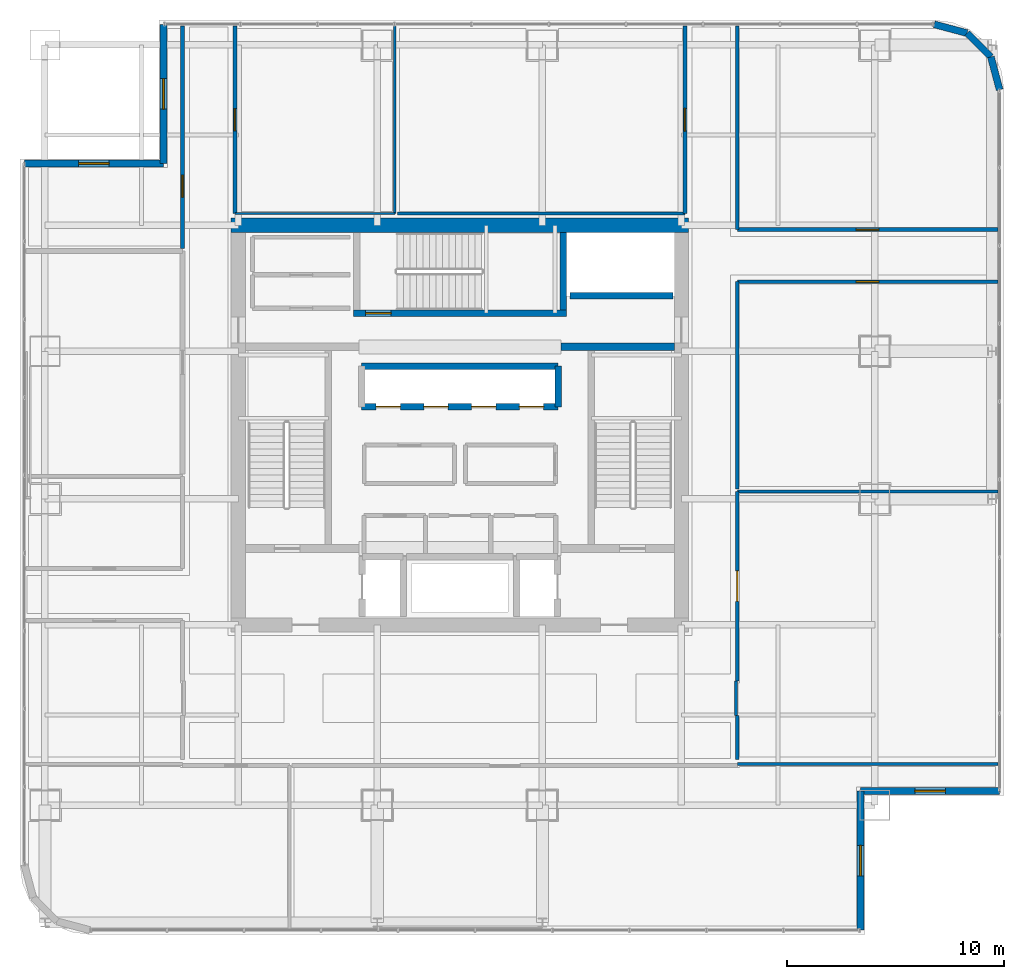
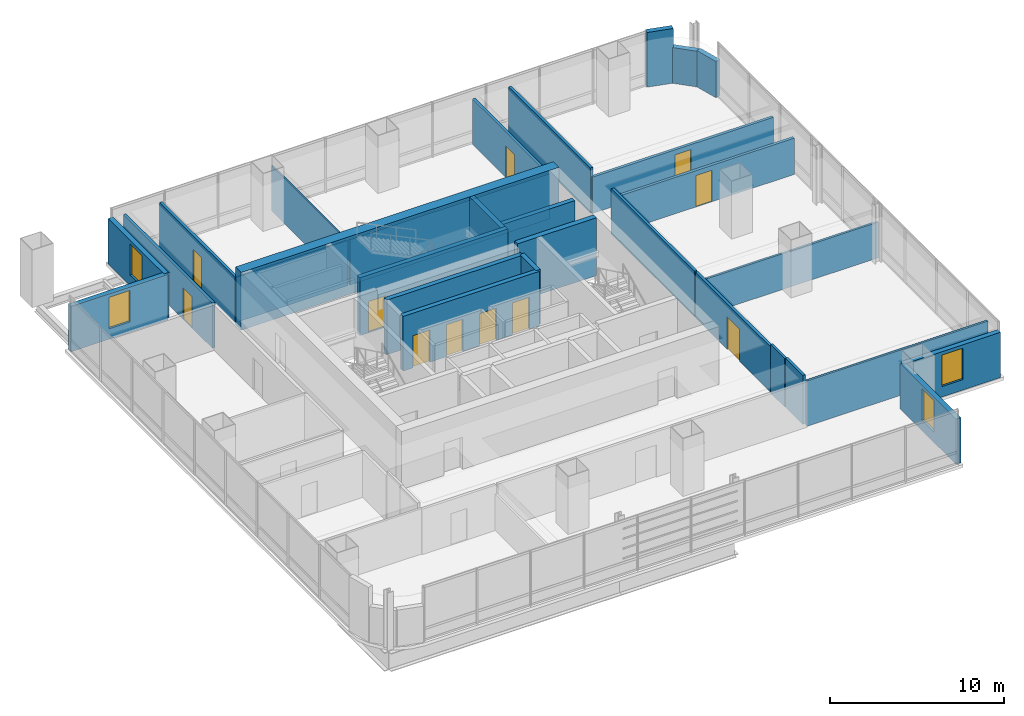
# One storey, part 31 of 37: 30 walls, 11 doors, 4 windows, 15 openings.
"""IFC4 building model written with IfcOpenShell, lengths in metres."""

from ifc_helpers import new_model, si_unit, direction, frame, frame_2d, origin, place, context, subcontext, project, spatial, rectangle, extrude, material, layer, layer_set, type_object, element, fill, save


model = new_model("IFC4")

# Units and contexts
model_context = context("Model", 3, precision=1e-05, world=origin(), true_north=direction((0.0, 1.0)))
body_context = subcontext(model_context, "Body", "Model", "MODEL_VIEW")
ifc_project = project(units=[si_unit("LENGTHUNIT", "METRE"), si_unit("AREAUNIT", "SQUARE_METRE"), si_unit("VOLUMEUNIT", "CUBIC_METRE"), si_unit("PLANEANGLEUNIT", "RADIAN"), si_unit("MASSUNIT", "GRAM", prefix="KILO")], contexts=[model_context])

# Site, building, storey
site_placement = place(None, origin())
site = spatial("IfcSite", under=ifc_project, at=site_placement, CompositionType="ELEMENT")
building_placement = place(site_placement, origin())
building = spatial("IfcBuilding", under=site, at=building_placement, Name="Punatoya Terracotta Tower", CompositionType="ELEMENT")
storey_placement = place(building_placement, frame((0.0, 0.0, 224.85009765625)))
storey = spatial("IfcBuildingStorey", under=building, at=storey_placement, Name="L53", CompositionType="ELEMENT", Elevation=224.85009765625)

# Wall
ifc_material_1 = material(Name="Concrete C60/75", Category="concrete")
ifc_layer_1 = layer(ifc_material_1, 0.64990234375)
ifc_layer_set_1 = layer_set([ifc_layer_1], Name="Concrete C60/75")
wall_type_1 = type_object("IfcWallType", Name="WL-COR-650", PredefinedType="SHEAR", material=ifc_layer_set_1)
wall_1_placement = place(storey_placement, frame((-10.52490234375, 9.199951171875, 0.0), z_axis=(0.0, 0.0, 1.0), x_axis=(1.0, 0.0, 0.0)))
element("IfcWall", 1, at=wall_1_placement, inside=storey, type_object=wall_type_1, Name="L53 Core Shear Wall N", PredefinedType="SHEAR", context=body_context, shape_type="SweptSolid", body=[
    extrude(rectangle(XDim=21.0498046875, YDim=0.64990234375, at=frame_2d((10.52490234375, 0.0))), origin(), (0.0, 0.0, 1.0), 4.0498046875),
])

# Wall, opening, door
ifc_material_2 = material(Name="Gypsum Fireboard + Steel Stud", Category="steel")
ifc_layer_2 = layer(ifc_material_2, 0.179931640625)
ifc_layer_set_2 = layer_set([ifc_layer_2], Name="Gypsum Fireboard + Steel Stud")
wall_type_2 = type_object("IfcWallType", Name="WL-CORR-180", PredefinedType="PARTITIONING", material=ifc_layer_set_2)
wall_2_placement = place(storey_placement, frame((12.77001953125, -11.77001953125, 0.0), z_axis=(0.0, 0.0, 1.0), x_axis=(0.0, 1.0, 0.0)))
wall_2 = element("IfcWall", 2, at=wall_2_placement, inside=storey, type_object=wall_type_2, Name="L53 Open-Plan Press Briefing Room Partition 31", PredefinedType="PARTITIONING", context=body_context, shape_type="SweptSolid", body=[
    extrude(rectangle(XDim=8.716064453125, YDim=0.179931640625, at=frame_2d((4.35791015625, 0.0))), origin(), (0.0, 0.0, 1.0), 3.173828125),
])
opening_1_placement = place(wall_2_placement, frame((3.657958984375, 0.0, 0.0)))
opening_1 = element("IfcOpeningElement", 3, at=opening_1_placement, cuts=wall_2, Name="Opening BD-01", PredefinedType="OPENING", context=body_context, shape_type="SweptSolid", body=[
    extrude(rectangle(XDim=1.39990234375, YDim=2.25, at=frame_2d((0.699951171875, 1.125))), frame((0.0, 0.099853515625, 0.0), z_axis=(0.0, -1.0, 0.0), x_axis=(1.0, 0.0, 0.0)), (0.0, 0.0, 1.0), 0.199951171875),
])
ifc_material_3 = material(Name="Bengal Teak Acoustic Leaf")
door_type_1 = type_object("IfcDoorType", Name="DR-BRD-1400", OperationType="NOTDEFINED", PredefinedType="DOOR", material=ifc_material_3)
door_1_placement = place(opening_1_placement, origin())
door_1 = element("IfcDoor", 4, at=door_1_placement, inside=storey, type_object=door_type_1, Name="L53 Open-Plan Press Briefing Room Door", OperationType="SINGLE_SWING_LEFT", OverallHeight=2.25, OverallWidth=1.39990234375, PredefinedType="DOOR", context=body_context, shape_type="SweptSolid", body=[
    extrude(rectangle(XDim=1.39990234375, YDim=2.25, at=frame_2d((0.699951171875, 1.125))), frame((0.0, 0.02490234375, 0.0), z_axis=(0.0, -1.0, 0.0), x_axis=(1.0, 0.0, 0.0)), (0.0, 0.0, 1.0), 0.050048828125),
])
fill(opening_1, door_1)

# Wall
wall_3_placement = place(storey_placement, frame((12.77001953125, -15.389892578125, 0.0), z_axis=(0.0, 0.0, 1.0), x_axis=(0.0, 1.0, 0.0)))
element("IfcWall", 5, at=wall_3_placement, inside=storey, type_object=wall_type_2, Name="L53 Open-Plan Press Briefing Room Partition 33", PredefinedType="PARTITIONING", context=body_context, shape_type="SweptSolid", body=[
    extrude(rectangle(XDim=2.010009765625, YDim=0.179931640625, at=frame_2d((1.0048828125, 0.0))), origin(), (0.0, 0.0, 1.0), 3.423828125),
])

# Wall, opening, door
wall_4_placement = place(storey_placement, frame((12.77001953125, 6.60009765625, 0.0), z_axis=(0.0, 0.0, 1.0), x_axis=(1.0, 0.0, 0.0)))
wall_4 = element("IfcWall", 6, at=wall_4_placement, inside=storey, type_object=wall_type_2, Name="L53 Open-Plan Acoustic Wellness Room Partition 37", PredefinedType="PARTITIONING", context=body_context, shape_type="SweptSolid", body=[
    extrude(rectangle(XDim=12.0, YDim=0.179931640625, at=frame_2d((6.0, 0.0))), origin(), (0.0, 0.0, 1.0), 2.5439453125),
])
opening_2_placement = place(wall_4_placement, frame((5.47509765625, 0.0, 0.0)))
opening_2 = element("IfcOpeningElement", 7, at=opening_2_placement, cuts=wall_4, Name="Opening OD-01", PredefinedType="OPENING", context=body_context, shape_type="SweptSolid", body=[
    extrude(rectangle(XDim=1.050048828125, YDim=2.199951171875, at=frame_2d((0.52490234375, 1.10009765625))), frame((0.0, 0.099853515625, 0.0), z_axis=(0.0, -1.0, 0.0), x_axis=(1.0, 0.0, 0.0)), (0.0, 0.0, 1.0), 0.199951171875),
])
ifc_material_4 = material(Name="Bengal Teak Solid-Core Leaf")
door_type_2 = type_object("IfcDoorType", Name="DR-OFF-1050", OperationType="NOTDEFINED", PredefinedType="DOOR", material=ifc_material_4)
door_2_placement = place(opening_2_placement, origin())
door_2 = element("IfcDoor", 8, at=door_2_placement, inside=storey, type_object=door_type_2, Name="L53 Open-Plan Acoustic Wellness Room Door", OperationType="SINGLE_SWING_LEFT", OverallHeight=2.199951171875, OverallWidth=1.050048828125, PredefinedType="DOOR", context=body_context, shape_type="SweptSolid", body=[
    extrude(rectangle(XDim=1.050048828125, YDim=2.199951171875, at=frame_2d((0.52490234375, 1.10009765625))), frame((0.0, 0.02490234375, 0.0), z_axis=(0.0, -1.0, 0.0), x_axis=(1.0, 0.0, 0.0)), (0.0, 0.0, 1.0), 0.050048828125),
])
fill(opening_2, door_2)

# Wall
wall_5_placement = place(storey_placement, frame((12.77001953125, -2.93408203125, 0.0), z_axis=(0.0, 0.0, 1.0), x_axis=(0.0, 1.0, 0.0)))
element("IfcWall", 9, at=wall_5_placement, inside=storey, type_object=wall_type_2, Name="L53 Open-Plan Acoustic Wellness Room Partition 38", PredefinedType="PARTITIONING", context=body_context, shape_type="SweptSolid", body=[
    extrude(rectangle(XDim=9.5341796875, YDim=0.179931640625, at=frame_2d((4.76708984375, 0.0))), origin(), (0.0, 0.0, 1.0), 3.173828125),
])

# Wall, opening, door
wall_6_placement = place(storey_placement, frame((-12.77001953125, 18.3701171875, 0.0), z_axis=(0.0, 0.0, 1.0), x_axis=(0.0, -1.0, 0.0)))
wall_6 = element("IfcWall", 10, at=wall_6_placement, inside=storey, type_object=wall_type_2, Name="L53 Editorial Conference Room Partition 41", PredefinedType="PARTITIONING", context=body_context, shape_type="SweptSolid", body=[
    extrude(rectangle(XDim=10.232177734375, YDim=0.179931640625, at=frame_2d((5.1162109375, 0.0))), origin(), (0.0, 0.0, 1.0), 3.173828125),
])
opening_3_placement = place(wall_6_placement, frame((6.85595703125, 0.0, 0.0)))
opening_3 = element("IfcOpeningElement", 11, at=opening_3_placement, cuts=wall_6, Name="Opening MD-01", PredefinedType="OPENING", context=body_context, shape_type="SweptSolid", body=[
    extrude(rectangle(XDim=1.02001953125, YDim=2.199951171875, at=frame_2d((0.510009765625, 1.10009765625))), frame((0.0, 0.099853515625, 0.0), z_axis=(0.0, -1.0, 0.0), x_axis=(1.0, 0.0, 0.0)), (0.0, 0.0, 1.0), 0.199951171875),
])
ifc_material_5 = material(Name="Aluminium + Acoustic Glass Leaf", Category="aluminium")
door_type_3 = type_object("IfcDoorType", Name="DR-MTG-1020", OperationType="NOTDEFINED", PredefinedType="DOOR", material=ifc_material_5)
door_3_placement = place(opening_3_placement, origin())
door_3 = element("IfcDoor", 12, at=door_3_placement, inside=storey, type_object=door_type_3, Name="L53 Editorial Conference Room Door", OperationType="SINGLE_SWING_LEFT", OverallHeight=2.199951171875, OverallWidth=1.02001953125, PredefinedType="DOOR", context=body_context, shape_type="SweptSolid", body=[
    extrude(rectangle(XDim=1.02001953125, YDim=2.199951171875, at=frame_2d((0.510009765625, 1.10009765625))), frame((0.0, 0.02490234375, 0.0), z_axis=(0.0, -1.0, 0.0), x_axis=(1.0, 0.0, 0.0)), (0.0, 0.0, 1.0), 0.050048828125),
])
fill(opening_3, door_3)

wall_7_placement = place(storey_placement, frame((24.77001953125, 9.0, 0.0), z_axis=(0.0, 0.0, 1.0), x_axis=(-1.0, 0.0, 0.0)))
wall_7 = element("IfcWall", 13, at=wall_7_placement, inside=storey, type_object=wall_type_2, Name="L53 Open-Plan Client Briefing Office Partition 42", PredefinedType="PARTITIONING", context=body_context, shape_type="SweptSolid", body=[
    extrude(rectangle(XDim=12.0, YDim=0.179931640625, at=frame_2d((6.0, 0.0))), origin(), (0.0, 0.0, 1.0), 2.5439453125),
])
opening_4_placement = place(wall_7_placement, frame((5.47509765625, 0.0, 0.0)))
opening_4 = element("IfcOpeningElement", 14, at=opening_4_placement, cuts=wall_7, Name="Opening OD-01", PredefinedType="OPENING", context=body_context, shape_type="SweptSolid", body=[
    extrude(rectangle(XDim=1.050048828125, YDim=2.199951171875, at=frame_2d((0.52490234375, 1.10009765625))), frame((0.0, 0.099853515625, 0.0), z_axis=(0.0, -1.0, 0.0), x_axis=(1.0, 0.0, 0.0)), (0.0, 0.0, 1.0), 0.199951171875),
])
door_4_placement = place(opening_4_placement, origin())
door_4 = element("IfcDoor", 15, at=door_4_placement, inside=storey, type_object=door_type_2, Name="L53 Open-Plan Client Briefing Office Door", OperationType="SINGLE_SWING_RIGHT", OverallHeight=2.199951171875, OverallWidth=1.050048828125, PredefinedType="DOOR", context=body_context, shape_type="SweptSolid", body=[
    extrude(rectangle(XDim=1.050048828125, YDim=2.199951171875, at=frame_2d((0.52490234375, 1.10009765625))), frame((0.0, 0.02490234375, 0.0), z_axis=(0.0, -1.0, 0.0), x_axis=(1.0, 0.0, 0.0)), (0.0, 0.0, 1.0), 0.050048828125),
])
fill(opening_4, door_4)

# Wall
wall_8_placement = place(storey_placement, frame((12.77001953125, 9.0, 0.0), z_axis=(0.0, 0.0, 1.0), x_axis=(0.0, 1.0, 0.0)))
element("IfcWall", 16, at=wall_8_placement, inside=storey, type_object=wall_type_2, Name="L53 Open-Plan Client Briefing Office Partition 43", PredefinedType="PARTITIONING", context=body_context, shape_type="SweptSolid", body=[
    extrude(rectangle(XDim=9.3701171875, YDim=0.179931640625, at=frame_2d((4.68505859375, 0.0))), origin(), (0.0, 0.0, 1.0), 3.173828125),
])

# Wall, opening, door
wall_9_placement = place(storey_placement, frame((-10.360107421875, 9.739990234375, 0.0), z_axis=(0.0, 0.0, 1.0), x_axis=(0.0, 1.0, 0.0)))
wall_9 = element("IfcWall", 17, at=wall_9_placement, inside=storey, type_object=wall_type_2, Name="L53 Open-Plan Visualization Review Room Partition 46", PredefinedType="PARTITIONING", context=body_context, shape_type="SweptSolid", body=[
    extrude(rectangle(XDim=8.630126953125, YDim=0.179931640625, at=frame_2d((4.31494140625, 0.0))), origin(), (0.0, 0.0, 1.0), 3.173828125),
])
opening_5_placement = place(wall_9_placement, frame((3.804931640625, 0.0, 0.0)))
opening_5 = element("IfcOpeningElement", 18, at=opening_5_placement, cuts=wall_9, Name="Opening MD-01", PredefinedType="OPENING", context=body_context, shape_type="SweptSolid", body=[
    extrude(rectangle(XDim=1.02001953125, YDim=2.199951171875, at=frame_2d((0.510009765625, 1.10009765625))), frame((0.0, 0.099853515625, 0.0), z_axis=(0.0, -1.0, 0.0), x_axis=(1.0, 0.0, 0.0)), (0.0, 0.0, 1.0), 0.199951171875),
])
door_5_placement = place(opening_5_placement, origin())
door_5 = element("IfcDoor", 19, at=door_5_placement, inside=storey, type_object=door_type_3, Name="L53 Open-Plan Visualization Review Room Door", OperationType="SINGLE_SWING_LEFT", OverallHeight=2.199951171875, OverallWidth=1.02001953125, PredefinedType="DOOR", context=body_context, shape_type="SweptSolid", body=[
    extrude(rectangle(XDim=1.02001953125, YDim=2.199951171875, at=frame_2d((0.510009765625, 1.10009765625))), frame((0.0, 0.02490234375, 0.0), z_axis=(0.0, -1.0, 0.0), x_axis=(1.0, 0.0, 0.0)), (0.0, 0.0, 1.0), 0.050048828125),
])
fill(opening_5, door_5)

wall_10_placement = place(storey_placement, frame((10.360107421875, 18.3701171875, 0.0), z_axis=(0.0, 0.0, 1.0), x_axis=(0.0, -1.0, 0.0)))
wall_10 = element("IfcWall", 20, at=wall_10_placement, inside=storey, type_object=wall_type_2, Name="L53 Open-Plan Client Media Salon Partition 48", PredefinedType="PARTITIONING", context=body_context, shape_type="SweptSolid", body=[
    extrude(rectangle(XDim=8.630126953125, YDim=0.179931640625, at=frame_2d((4.31494140625, 0.0))), origin(), (0.0, 0.0, 1.0), 3.173828125),
])
opening_6_placement = place(wall_10_placement, frame((3.7900390625, 0.0, 0.0)))
opening_6 = element("IfcOpeningElement", 21, at=opening_6_placement, cuts=wall_10, Name="Opening OD-01", PredefinedType="OPENING", context=body_context, shape_type="SweptSolid", body=[
    extrude(rectangle(XDim=1.050048828125, YDim=2.199951171875, at=frame_2d((0.52490234375, 1.10009765625))), frame((0.0, 0.099853515625, 0.0), z_axis=(0.0, -1.0, 0.0), x_axis=(1.0, 0.0, 0.0)), (0.0, 0.0, 1.0), 0.199951171875),
])
door_6_placement = place(opening_6_placement, origin())
door_6 = element("IfcDoor", 22, at=door_6_placement, inside=storey, type_object=door_type_2, Name="L53 Open-Plan Client Media Salon Door", OperationType="SINGLE_SWING_RIGHT", OverallHeight=2.199951171875, OverallWidth=1.050048828125, PredefinedType="DOOR", context=body_context, shape_type="SweptSolid", body=[
    extrude(rectangle(XDim=1.050048828125, YDim=2.199951171875, at=frame_2d((0.52490234375, 1.10009765625))), frame((0.0, 0.02490234375, 0.0), z_axis=(0.0, -1.0, 0.0), x_axis=(1.0, 0.0, 0.0)), (0.0, 0.0, 1.0), 0.050048828125),
])
fill(opening_6, door_6)

# Wall, opening, window
ifc_material_6 = material(Name="Precast concrete C40/50", Category="concrete")
ifc_layer_3 = layer(ifc_material_6, 0.320068359375)
ifc_layer_set_3 = layer_set([ifc_layer_3], Name="Precast concrete C40/50")
wall_type_3 = type_object("IfcWallType", Name="WL-EXT-320", PredefinedType="SOLIDWALL", material=ifc_layer_set_3)
wall_11_placement = place(storey_placement, frame((18.449951171875, -23.25, 0.0), z_axis=(0.0, 0.0, 1.0), x_axis=(0.0, 1.0, 0.0)))
wall_11 = element("IfcWall", 23, at=wall_11_placement, inside=storey, type_object=wall_type_3, Name="L53 Recessed Corner-Slot Terracotta Wall 02", PredefinedType="SOLIDWALL", context=body_context, shape_type="SweptSolid", body=[
    extrude(rectangle(XDim=6.39990234375, YDim=0.320068359375, at=frame_2d((3.199951171875, 0.0))), origin(), (0.0, 0.0, 1.0), 3.173828125),
])
opening_7_placement = place(wall_11_placement, frame((2.5, 0.0, 0.73388671875)))
opening_7 = element("IfcOpeningElement", 24, at=opening_7_placement, cuts=wall_11, Name="Opening WN-04", PredefinedType="OPENING", context=body_context, shape_type="SweptSolid", body=[
    extrude(rectangle(XDim=1.39990234375, YDim=2.199951171875, at=frame_2d((0.699951171875, 1.10009765625))), frame((0.0, 0.169921875, 0.0), z_axis=(0.0, -1.0, 0.0), x_axis=(1.0, 0.0, 0.0)), (0.0, 0.0, 1.0), 0.340087890625),
])
ifc_material_7 = material(Name="Aluminium 6063-T6 + Double Low-E Glass", Category="aluminium")
window_type = type_object("IfcWindowType", Name="WIN-OFF-1400", PartitioningType="SINGLE_PANEL", PredefinedType="WINDOW", material=ifc_material_7)
window_1_placement = place(opening_7_placement, origin())
window_1 = element("IfcWindow", 25, at=window_1_placement, inside=storey, type_object=window_type, Name="L53 Corner-Slot Punched Window 02", OverallHeight=2.199951171875, OverallWidth=1.39990234375, PartitioningType="SINGLE_PANEL", PredefinedType="WINDOW", context=body_context, shape_type="SweptSolid", body=[
    extrude(rectangle(XDim=1.39990234375, YDim=2.199951171875, at=frame_2d((0.699951171875, 1.10009765625))), frame((0.0, 0.030029296875, 0.0), z_axis=(0.0, -1.0, 0.0), x_axis=(1.0, 0.0, 0.0)), (0.0, 0.0, 1.0), 0.06005859375),
])
fill(opening_7, window_1)

wall_12_placement = place(storey_placement, frame((18.449951171875, -16.85009765625, 0.0), z_axis=(0.0, 0.0, 1.0), x_axis=(1.0, 0.0, 0.0)))
wall_12 = element("IfcWall", 26, at=wall_12_placement, inside=storey, type_object=wall_type_3, Name="L53 Recessed Corner-Slot Terracotta Wall 03", PredefinedType="SOLIDWALL", context=body_context, shape_type="SweptSolid", body=[
    extrude(rectangle(XDim=6.400146484375, YDim=0.320068359375, at=frame_2d((3.2001953125, 0.0))), origin(), (0.0, 0.0, 1.0), 3.173828125),
])
opening_8_placement = place(wall_12_placement, frame((2.5, 0.0, 0.73388671875)))
opening_8 = element("IfcOpeningElement", 27, at=opening_8_placement, cuts=wall_12, Name="Opening WN-04", PredefinedType="OPENING", context=body_context, shape_type="SweptSolid", body=[
    extrude(rectangle(XDim=1.39990234375, YDim=2.199951171875, at=frame_2d((0.699951171875, 1.10009765625))), frame((0.0, 0.169921875, 0.0), z_axis=(0.0, -1.0, 0.0), x_axis=(1.0, 0.0, 0.0)), (0.0, 0.0, 1.0), 0.340087890625),
])
window_2_placement = place(opening_8_placement, origin())
window_2 = element("IfcWindow", 28, at=window_2_placement, inside=storey, type_object=window_type, Name="L53 Corner-Slot Punched Window 03", OverallHeight=2.199951171875, OverallWidth=1.39990234375, PartitioningType="SINGLE_PANEL", PredefinedType="WINDOW", context=body_context, shape_type="SweptSolid", body=[
    extrude(rectangle(XDim=1.39990234375, YDim=2.199951171875, at=frame_2d((0.699951171875, 1.10009765625))), frame((0.0, 0.030029296875, 0.0), z_axis=(0.0, -1.0, 0.0), x_axis=(1.0, 0.0, 0.0)), (0.0, 0.0, 1.0), 0.06005859375),
])
fill(opening_8, window_2)

# Walls
wall_13_placement = place(storey_placement, frame((24.85009765625, 15.43701171875, 0.0), z_axis=(0.0, 0.0, 1.0), x_axis=(-0.257847112249, 0.966185730957, 0.0)))
element("IfcWall", 29, at=wall_13_placement, inside=storey, type_object=wall_type_3, Name="L53 Rounded Terracotta Corner Pier 05", PredefinedType="SOLIDWALL", context=body_context, shape_type="SweptSolid", body=[
    extrude(rectangle(XDim=1.565185546875, YDim=0.320068359375, at=frame_2d((0.78271484375, 0.0))), origin(), (0.0, 0.0, 1.0), 2.5439453125),
])
wall_14_placement = place(storey_placement, frame((24.446533203125, 16.94921875, 0.0), z_axis=(0.0, 0.0, 1.0), x_axis=(-0.707106781187, 0.707106781187, 0.0)))
element("IfcWall", 30, at=wall_14_placement, inside=storey, type_object=wall_type_3, Name="L53 Rounded Terracotta Corner Pier 06", PredefinedType="SOLIDWALL", context=body_context, shape_type="SweptSolid", body=[
    extrude(rectangle(XDim=1.552001953125, YDim=0.320068359375, at=frame_2d((0.77587890625, 0.0))), origin(), (0.0, 0.0, 1.0), 2.50390625),
])
wall_15_placement = place(storey_placement, frame((23.34912109375, 18.046630859375, 0.0), z_axis=(0.0, 0.0, 1.0), x_axis=(-0.966224582397, 0.257701486942, 0.0)))
element("IfcWall", 31, at=wall_15_placement, inside=storey, type_object=wall_type_3, Name="L53 Rounded Terracotta Corner Pier 07", PredefinedType="SOLIDWALL", context=body_context, shape_type="SweptSolid", body=[
    extrude(rectangle(XDim=1.565185546875, YDim=0.320068359375, at=frame_2d((0.78271484375, 0.0))), origin(), (0.0, 0.0, 1.0), 3.829833984375),
])

# Wall, opening, window
wall_16_placement = place(storey_placement, frame((-13.64990234375, 18.449951171875, 0.0), z_axis=(0.0, 0.0, 1.0), x_axis=(0.0, -1.0, 0.0)))
wall_16 = element("IfcWall", 32, at=wall_16_placement, inside=storey, type_object=wall_type_3, Name="L53 Recessed Corner-Slot Terracotta Wall 09", PredefinedType="SOLIDWALL", context=body_context, shape_type="SweptSolid", body=[
    extrude(rectangle(XDim=6.39990234375, YDim=0.320068359375, at=frame_2d((3.199951171875, 0.0))), origin(), (0.0, 0.0, 1.0), 3.173828125),
])
opening_9_placement = place(wall_16_placement, frame((2.5, 0.0, 0.73388671875)))
opening_9 = element("IfcOpeningElement", 33, at=opening_9_placement, cuts=wall_16, Name="Opening WN-04", PredefinedType="OPENING", context=body_context, shape_type="SweptSolid", body=[
    extrude(rectangle(XDim=1.39990234375, YDim=2.199951171875, at=frame_2d((0.699951171875, 1.10009765625))), frame((0.0, 0.169921875, 0.0), z_axis=(0.0, -1.0, 0.0), x_axis=(1.0, 0.0, 0.0)), (0.0, 0.0, 1.0), 0.340087890625),
])
window_3_placement = place(opening_9_placement, origin())
window_3 = element("IfcWindow", 34, at=window_3_placement, inside=storey, type_object=window_type, Name="L53 Corner-Slot Punched Window 09", OverallHeight=2.199951171875, OverallWidth=1.39990234375, PartitioningType="SINGLE_PANEL", PredefinedType="WINDOW", context=body_context, shape_type="SweptSolid", body=[
    extrude(rectangle(XDim=1.39990234375, YDim=2.199951171875, at=frame_2d((0.699951171875, 1.10009765625))), frame((0.0, 0.030029296875, 0.0), z_axis=(0.0, -1.0, 0.0), x_axis=(1.0, 0.0, 0.0)), (0.0, 0.0, 1.0), 0.06005859375),
])
fill(opening_9, window_3)

wall_17_placement = place(storey_placement, frame((-13.64990234375, 12.050048828125, 0.0), z_axis=(0.0, 0.0, 1.0), x_axis=(-1.0, 0.0, 0.0)))
wall_17 = element("IfcWall", 35, at=wall_17_placement, inside=storey, type_object=wall_type_3, Name="L53 Recessed Corner-Slot Terracotta Wall 10", PredefinedType="SOLIDWALL", context=body_context, shape_type="SweptSolid", body=[
    extrude(rectangle(XDim=6.400146484375, YDim=0.320068359375, at=frame_2d((3.2001953125, 0.0))), origin(), (0.0, 0.0, 1.0), 3.173828125),
])
opening_10_placement = place(wall_17_placement, frame((2.5, 0.0, 0.73388671875)))
opening_10 = element("IfcOpeningElement", 36, at=opening_10_placement, cuts=wall_17, Name="Opening WN-04", PredefinedType="OPENING", context=body_context, shape_type="SweptSolid", body=[
    extrude(rectangle(XDim=1.39990234375, YDim=2.199951171875, at=frame_2d((0.699951171875, 1.10009765625))), frame((0.0, 0.169921875, 0.0), z_axis=(0.0, -1.0, 0.0), x_axis=(1.0, 0.0, 0.0)), (0.0, 0.0, 1.0), 0.340087890625),
])
window_4_placement = place(opening_10_placement, origin())
window_4 = element("IfcWindow", 37, at=window_4_placement, inside=storey, type_object=window_type, Name="L53 Corner-Slot Punched Window 10", OverallHeight=2.199951171875, OverallWidth=1.39990234375, PartitioningType="SINGLE_PANEL", PredefinedType="WINDOW", context=body_context, shape_type="SweptSolid", body=[
    extrude(rectangle(XDim=1.39990234375, YDim=2.199951171875, at=frame_2d((0.699951171875, 1.10009765625))), frame((0.0, 0.030029296875, 0.0), z_axis=(0.0, -1.0, 0.0), x_axis=(1.0, 0.0, 0.0)), (0.0, 0.0, 1.0), 0.06005859375),
])
fill(opening_10, window_4)

# Walls
ifc_material_8 = material(Name="Aluminium Framed Acoustic Glass Partition", Category="aluminium")
ifc_layer_4 = layer(ifc_material_8, 0.10009765625)
ifc_layer_set_4 = layer_set([ifc_layer_4], Name="Aluminium Framed Acoustic Glass Partition")
wall_type_4 = type_object("IfcWallType", Name="WL-GLZ-100", PredefinedType="PARTITIONING", material=ifc_layer_set_4)
wall_18_placement = place(storey_placement, frame((-2.993896484375, 18.3701171875, 0.0), z_axis=(0.0, 0.0, 1.0), x_axis=(0.0, -1.0, 0.0)))
element("IfcWall", 38, at=wall_18_placement, inside=storey, type_object=wall_type_4, Name="L53 Open-Plan Visualization Review Room Partition 44", PredefinedType="PARTITIONING", context=body_context, shape_type="SweptSolid", body=[
    extrude(rectangle(XDim=8.630126953125, YDim=0.10009765625, at=frame_2d((4.31494140625, 0.0))), origin(), (0.0, 0.0, 1.0), 3.173828125),
])
wall_19_placement = place(storey_placement, frame((-2.993896484375, 9.739990234375, 0.0), z_axis=(0.0, 0.0, 1.0), x_axis=(-1.0, 0.0, 0.0)))
element("IfcWall", 39, at=wall_19_placement, inside=storey, type_object=wall_type_4, Name="L53 Open-Plan Visualization Review Room Partition 45", PredefinedType="PARTITIONING", context=body_context, shape_type="SweptSolid", body=[
    extrude(rectangle(XDim=7.3662109375, YDim=0.10009765625, at=frame_2d((3.68310546875, 0.0))), origin(), (0.0, 0.0, 1.0), 3.173828125),
])
ifc_material_9 = material(Name="Acoustic Gypsum + Steel Stud", Category="steel")
ifc_layer_5 = layer(ifc_material_9, 0.139892578125)
ifc_layer_set_5 = layer_set([ifc_layer_5], Name="Acoustic Gypsum + Steel Stud")
wall_type_5 = type_object("IfcWallType", Name="WL-OFF-140", PredefinedType="PARTITIONING", material=ifc_layer_set_5)
wall_20_placement = place(storey_placement, frame((12.77001953125, -15.610107421875, 0.0), z_axis=(0.0, 0.0, 1.0), x_axis=(1.0, 0.0, 0.0)))
element("IfcWall", 40, at=wall_20_placement, inside=storey, type_object=wall_type_5, Name="L53 Media Broadcast Studio Partition 25", PredefinedType="PARTITIONING", context=body_context, shape_type="SweptSolid", body=[
    extrude(rectangle(XDim=12.0, YDim=0.139892578125, at=frame_2d((6.0, 0.0))), origin(), (0.0, 0.0, 1.0), 3.173828125),
])
wall_21_placement = place(storey_placement, frame((12.7099609375, -13.3798828125, 0.0), z_axis=(0.0, 0.0, 1.0), x_axis=(0.0, 1.0, 0.0)))
element("IfcWall", 41, at=wall_21_placement, inside=storey, type_object=wall_type_5, Name="L53 Open-Plan Press Briefing Room Partition 30", PredefinedType="PARTITIONING", context=body_context, shape_type="SweptSolid", body=[
    extrude(rectangle(XDim=1.60986328125, YDim=0.139892578125, at=frame_2d((0.804931640625, 0.0))), origin(), (0.0, 0.0, 1.0), 3.423828125),
])
wall_22_placement = place(storey_placement, frame((12.77001953125, -3.053955078125, 0.0), z_axis=(0.0, 0.0, 1.0), x_axis=(1.0, 0.0, 0.0)))
element("IfcWall", 42, at=wall_22_placement, inside=storey, type_object=wall_type_5, Name="L53 Open-Plan Press Briefing Room Partition 32", PredefinedType="PARTITIONING", context=body_context, shape_type="SweptSolid", body=[
    extrude(rectangle(XDim=12.0, YDim=0.139892578125, at=frame_2d((6.0, 0.0))), origin(), (0.0, 0.0, 1.0), 2.50390625),
])
wall_23_placement = place(storey_placement, frame((10.360107421875, 9.739990234375, 0.0), z_axis=(0.0, 0.0, 1.0), x_axis=(-1.0, 0.0, 0.0)))
element("IfcWall", 43, at=wall_23_placement, inside=storey, type_object=wall_type_5, Name="L53 Open-Plan Client Media Salon Partition 47", PredefinedType="PARTITIONING", context=body_context, shape_type="SweptSolid", body=[
    extrude(rectangle(XDim=13.234130859375, YDim=0.139892578125, at=frame_2d((6.6171875, 0.0))), origin(), (0.0, 0.0, 1.0), 3.173828125),
])
ifc_material_10 = material(Name="Concrete C40/50", Category="concrete")
ifc_layer_6 = layer(ifc_material_10, 0.300048828125)
ifc_layer_set_6 = layer_set([ifc_layer_6], Name="Concrete C40/50")
wall_type_6 = type_object("IfcWallType", Name="WL-SHF-300", PredefinedType="SOLIDWALL", material=ifc_layer_set_6)
wall_24_placement = place(storey_placement, frame((4.75, 8.875, 0.0), z_axis=(0.0, 0.0, 1.0), x_axis=(0.0, -1.0, 0.0)))
element("IfcWall", 44, at=wall_24_placement, inside=storey, type_object=wall_type_6, Name="L53 Structural Stair Shaft Wall SW-ST3-E", PredefinedType="SOLIDWALL", context=body_context, shape_type="SweptSolid", body=[
    extrude(rectangle(XDim=3.574951171875, YDim=0.300048828125, at=frame_2d((1.78759765625, 0.0))), origin(), (0.0, 0.0, 1.0), 4.0498046875),
])

# Wall, opening, door
wall_25_placement = place(storey_placement, frame((-4.89990234375, 5.14990234375, 0.0), z_axis=(0.0, 0.0, 1.0), x_axis=(1.0, 0.0, 0.0)))
wall_25 = element("IfcWall", 45, at=wall_25_placement, inside=storey, type_object=wall_type_6, Name="L53 Structural Stair Shaft Wall SW-ST3-S", PredefinedType="SOLIDWALL", context=body_context, shape_type="SweptSolid", body=[
    extrude(rectangle(XDim=9.7998046875, YDim=0.300048828125, at=frame_2d((4.89990234375, 0.0))), origin(), (0.0, 0.0, 1.0), 4.0498046875),
])
opening_11_placement = place(wall_25_placement, frame((0.56005859375, 0.0, 0.0)))
opening_11 = element("IfcOpeningElement", 46, at=opening_11_placement, cuts=wall_25, Name="Opening SD-01", PredefinedType="OPENING", context=body_context, shape_type="SweptSolid", body=[
    extrude(rectangle(XDim=1.179931640625, YDim=2.199951171875, at=frame_2d((0.58984375, 1.10009765625))), frame((0.0, 0.159912109375, 0.0), z_axis=(0.0, -1.0, 0.0), x_axis=(1.0, 0.0, 0.0)), (0.0, 0.0, 1.0), 0.320068359375),
])
ifc_material_11 = material(Name="Galvanised Steel Pressurized Stair Fire Door", Category="steel")
door_type_4 = type_object("IfcDoorType", Name="DR-STR-1180", OperationType="NOTDEFINED", PredefinedType="DOOR", material=ifc_material_11)
door_7_placement = place(opening_11_placement, origin())
door_7 = element("IfcDoor", 47, at=door_7_placement, inside=storey, type_object=door_type_4, Name="L53 Stair ST-3 Core Lobby Fire Door", OperationType="SINGLE_SWING_LEFT", OverallHeight=2.199951171875, OverallWidth=1.179931640625, PredefinedType="DOOR", context=body_context, shape_type="SweptSolid", body=[
    extrude(rectangle(XDim=1.179931640625, YDim=2.199951171875, at=frame_2d((0.58984375, 1.10009765625))), frame((0.0, 0.02490234375, 0.0), z_axis=(0.0, -1.0, 0.0), x_axis=(1.0, 0.0, 0.0)), (0.0, 0.0, 1.0), 0.050048828125),
])
fill(opening_11, door_7)

# Wall, openings, doors
wall_26_placement = place(storey_placement, frame((-4.52001953125, 0.840087890625, 0.0), z_axis=(0.0, 0.0, 1.0), x_axis=(1.0, 0.0, 0.0)))
wall_26 = element("IfcWall", 48, at=wall_26_placement, inside=storey, type_object=wall_type_6, Name="L53 North Lift Bank Front Shaft Wall", PredefinedType="SOLIDWALL", context=body_context, shape_type="SweptSolid", body=[
    extrude(rectangle(XDim=9.0400390625, YDim=0.300048828125, at=frame_2d((4.52001953125, 0.0))), origin(), (0.0, 0.0, 1.0), 3.829833984375),
])
opening_12_placement = place(wall_26_placement, frame((0.659912109375, 0.0, 0.0)))
opening_12 = element("IfcOpeningElement", 49, at=opening_12_placement, cuts=wall_26, Name="Opening LD-02", PredefinedType="OPENING", context=body_context, shape_type="SweptSolid", body=[
    extrude(rectangle(XDim=1.1201171875, YDim=2.25, at=frame_2d((0.56005859375, 1.125))), frame((0.0, 0.159912109375, 0.0), z_axis=(0.0, -1.0, 0.0), x_axis=(1.0, 0.0, 0.0)), (0.0, 0.0, 1.0), 0.320068359375),
])
opening_13_placement = place(wall_26_placement, frame((2.860107421875, 0.0, 0.0)))
opening_13 = element("IfcOpeningElement", 50, at=opening_13_placement, cuts=wall_26, Name="Opening LD-02", PredefinedType="OPENING", context=body_context, shape_type="SweptSolid", body=[
    extrude(rectangle(XDim=1.1201171875, YDim=2.25, at=frame_2d((0.56005859375, 1.125))), frame((0.0, 0.159912109375, 0.0), z_axis=(0.0, -1.0, 0.0), x_axis=(1.0, 0.0, 0.0)), (0.0, 0.0, 1.0), 0.320068359375),
])
opening_14_placement = place(wall_26_placement, frame((5.06005859375, 0.0, 0.0)))
opening_14 = element("IfcOpeningElement", 51, at=opening_14_placement, cuts=wall_26, Name="Opening LD-02", PredefinedType="OPENING", context=body_context, shape_type="SweptSolid", body=[
    extrude(rectangle(XDim=1.1201171875, YDim=2.25, at=frame_2d((0.56005859375, 1.125))), frame((0.0, 0.159912109375, 0.0), z_axis=(0.0, -1.0, 0.0), x_axis=(1.0, 0.0, 0.0)), (0.0, 0.0, 1.0), 0.320068359375),
])
opening_15_placement = place(wall_26_placement, frame((7.260009765625, 0.0, 0.0)))
opening_15 = element("IfcOpeningElement", 52, at=opening_15_placement, cuts=wall_26, Name="Opening LD-02", PredefinedType="OPENING", context=body_context, shape_type="SweptSolid", body=[
    extrude(rectangle(XDim=1.1201171875, YDim=2.25, at=frame_2d((0.56005859375, 1.125))), frame((0.0, 0.159912109375, 0.0), z_axis=(0.0, -1.0, 0.0), x_axis=(1.0, 0.0, 0.0)), (0.0, 0.0, 1.0), 0.320068359375),
])
ifc_material_12 = material(Name="Stainless Steel Lift Landing Door", Category="steel")
door_type_5 = type_object("IfcDoorType", Name="DR-LND-1120", OperationType="NOTDEFINED", PredefinedType="DOOR", material=ifc_material_12)
door_8_placement = place(opening_12_placement, origin())
door_8 = element("IfcDoor", 53, at=door_8_placement, inside=storey, type_object=door_type_5, Name="L53 Lift PL-M1 Sliding Landing Door", OperationType="DOUBLE_DOOR_SLIDING", OverallHeight=2.25, OverallWidth=1.1201171875, PredefinedType="DOOR", context=body_context, shape_type="SweptSolid", body=[
    extrude(rectangle(XDim=1.1201171875, YDim=2.25, at=frame_2d((0.56005859375, 1.125))), frame((0.0, 0.02490234375, 0.0), z_axis=(0.0, -1.0, 0.0), x_axis=(1.0, 0.0, 0.0)), (0.0, 0.0, 1.0), 0.050048828125),
])
fill(opening_12, door_8)
door_9_placement = place(opening_13_placement, origin())
door_9 = element("IfcDoor", 54, at=door_9_placement, inside=storey, type_object=door_type_5, Name="L53 Lift PL-M2 Sliding Landing Door", OperationType="DOUBLE_DOOR_SLIDING", OverallHeight=2.25, OverallWidth=1.1201171875, PredefinedType="DOOR", context=body_context, shape_type="SweptSolid", body=[
    extrude(rectangle(XDim=1.1201171875, YDim=2.25, at=frame_2d((0.56005859375, 1.125))), frame((0.0, 0.02490234375, 0.0), z_axis=(0.0, -1.0, 0.0), x_axis=(1.0, 0.0, 0.0)), (0.0, 0.0, 1.0), 0.050048828125),
])
fill(opening_13, door_9)
door_10_placement = place(opening_14_placement, origin())
door_10 = element("IfcDoor", 55, at=door_10_placement, inside=storey, type_object=door_type_5, Name="L53 Lift PL-M3 Sliding Landing Door", OperationType="DOUBLE_DOOR_SLIDING", OverallHeight=2.25, OverallWidth=1.1201171875, PredefinedType="DOOR", context=body_context, shape_type="SweptSolid", body=[
    extrude(rectangle(XDim=1.1201171875, YDim=2.25, at=frame_2d((0.56005859375, 1.125))), frame((0.0, 0.02490234375, 0.0), z_axis=(0.0, -1.0, 0.0), x_axis=(1.0, 0.0, 0.0)), (0.0, 0.0, 1.0), 0.050048828125),
])
fill(opening_14, door_10)
door_11_placement = place(opening_15_placement, origin())
door_11 = element("IfcDoor", 56, at=door_11_placement, inside=storey, type_object=door_type_5, Name="L53 Lift PL-M4 Sliding Landing Door", OperationType="DOUBLE_DOOR_SLIDING", OverallHeight=2.25, OverallWidth=1.1201171875, PredefinedType="DOOR", context=body_context, shape_type="SweptSolid", body=[
    extrude(rectangle(XDim=1.1201171875, YDim=2.25, at=frame_2d((0.56005859375, 1.125))), frame((0.0, 0.02490234375, 0.0), z_axis=(0.0, -1.0, 0.0), x_axis=(1.0, 0.0, 0.0)), (0.0, 0.0, 1.0), 0.050048828125),
])
fill(opening_15, door_11)

# Walls
wall_27_placement = place(storey_placement, frame((-4.52001953125, 2.719970703125, 0.0), z_axis=(0.0, 0.0, 1.0), x_axis=(1.0, 0.0, 0.0)))
element("IfcWall", 57, at=wall_27_placement, inside=storey, type_object=wall_type_6, Name="L53 North Lift Bank Rear Shaft Wall", PredefinedType="SOLIDWALL", context=body_context, shape_type="SweptSolid", body=[
    extrude(rectangle(XDim=9.0400390625, YDim=0.300048828125, at=frame_2d((4.52001953125, 0.0))), origin(), (0.0, 0.0, 1.0), 3.829833984375),
])
wall_28_placement = place(storey_placement, frame((4.52001953125, 0.840087890625, 0.0), z_axis=(0.0, 0.0, 1.0), x_axis=(0.0, 1.0, 0.0)))
element("IfcWall", 58, at=wall_28_placement, inside=storey, type_object=wall_type_6, Name="L53 North Lift Bank East End Wall", PredefinedType="SOLIDWALL", context=body_context, shape_type="SweptSolid", body=[
    extrude(rectangle(XDim=1.8798828125, YDim=0.300048828125, at=frame_2d((0.93994140625, 0.0))), origin(), (0.0, 0.0, 1.0), 3.829833984375),
])
wall_29_placement = place(storey_placement, frame((5.06005859375, 5.949951171875, 0.0), z_axis=(0.0, 0.0, 1.0), x_axis=(1.0, 0.0, 0.0)))
element("IfcWall", 59, at=wall_29_placement, inside=storey, type_object=wall_type_6, Name="L53 Shuttle SL-2 South Hoistway Wall", PredefinedType="SOLIDWALL", context=body_context, shape_type="SweptSolid", body=[
    extrude(rectangle(XDim=4.760009765625, YDim=0.300048828125, at=frame_2d((2.3798828125, 0.0))), origin(), (0.0, 0.0, 1.0), 3.829833984375),
])
ifc_material_13 = material(Name="Concrete C50/60", Category="concrete")
ifc_layer_7 = layer(ifc_material_13, 0.35009765625)
ifc_layer_set_7 = layer_set([ifc_layer_7], Name="Concrete C50/60")
wall_type_7 = type_object("IfcWallType", Name="WL-SHF-350", PredefinedType="SOLIDWALL", material=ifc_layer_set_7)
wall_30_placement = place(storey_placement, frame((4.64990234375, 3.60009765625, 0.0), z_axis=(0.0, 0.0, 1.0), x_axis=(1.0, 0.0, 0.0)))
element("IfcWall", 60, at=wall_30_placement, inside=storey, type_object=wall_type_7, Name="L53 Core Web Wall CNW-R", PredefinedType="SOLIDWALL", context=body_context, shape_type="SweptSolid", body=[
    extrude(rectangle(XDim=5.22509765625, YDim=0.35009765625, at=frame_2d((2.612548828125, 0.0))), origin(), (0.0, 0.0, 1.0), 4.0498046875),
])

save(model, "model.ifc")
